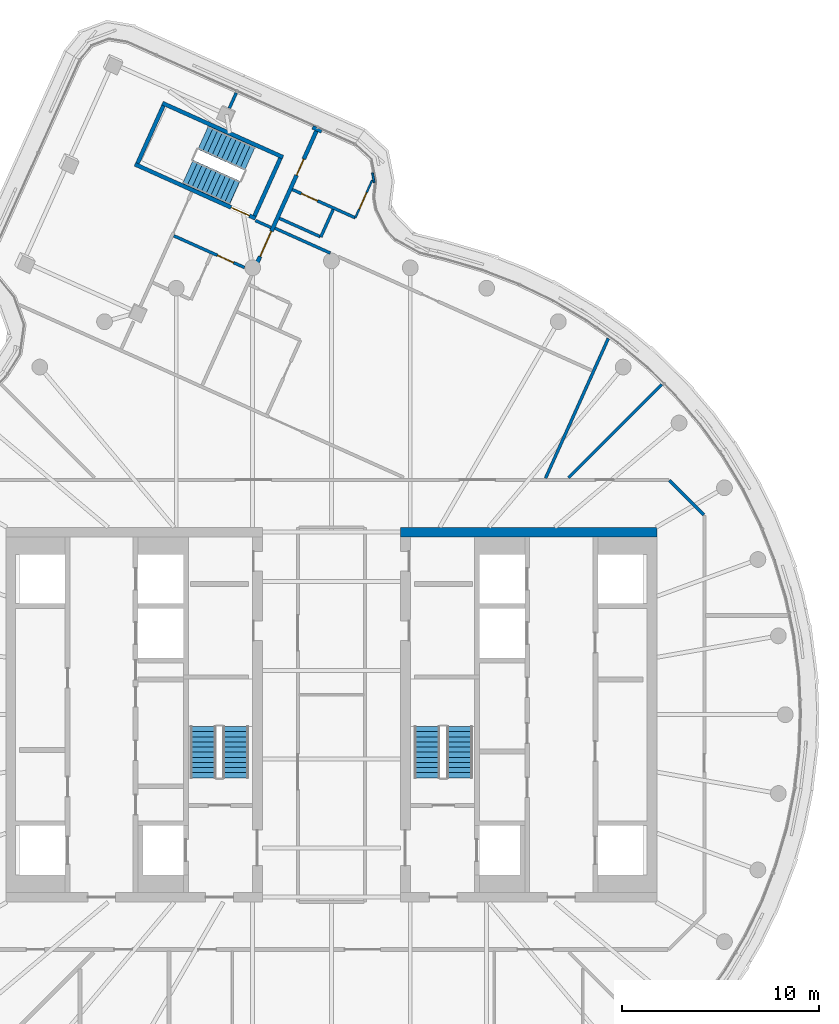
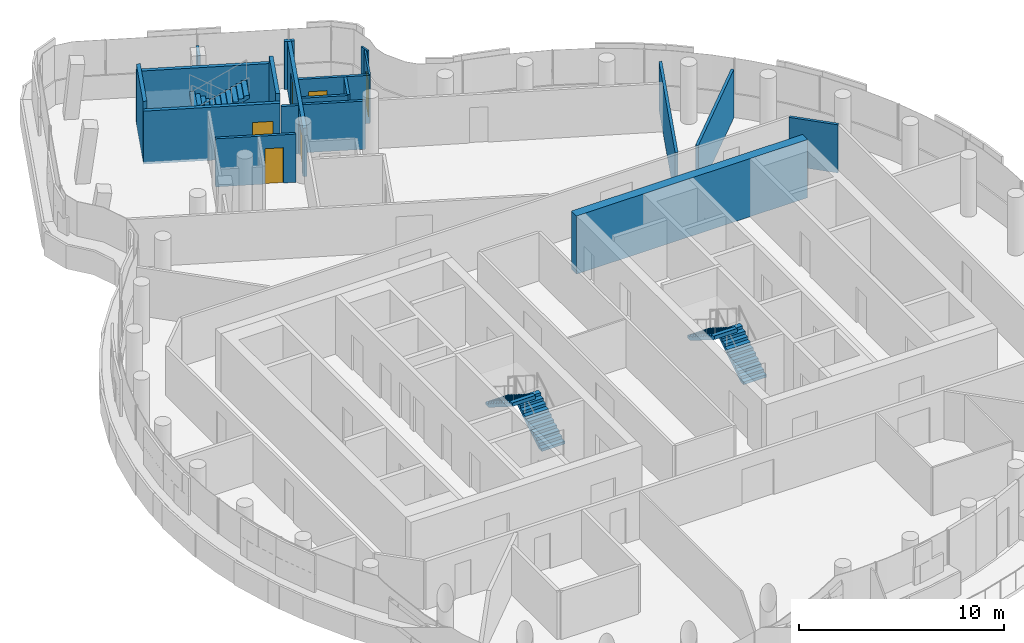
# One storey, part 16 of 21: 19 walls, 6 doors, 6 stair flights, 6 openings, 3 elements without a shape of their own.
"""IFC4 building model written with IfcOpenShell, lengths in metres."""

from ifc_helpers import new_model, si_unit, direction, frame, frame_2d, origin, place, context, subcontext, project, spatial, polyline, rectangle, outline, extrude, material, layer, layer_set, type_object, element, fill, aggregate, save


model = new_model("IFC4")

# Units and contexts
model_context = context("Model", 3, precision=1e-05, world=origin(), true_north=direction((0.0, 1.0)))
body_context = subcontext(model_context, "Body", "Model", "MODEL_VIEW")
ifc_project = project(units=[si_unit("LENGTHUNIT", "METRE"), si_unit("AREAUNIT", "SQUARE_METRE"), si_unit("VOLUMEUNIT", "CUBIC_METRE"), si_unit("PLANEANGLEUNIT", "RADIAN"), si_unit("MASSUNIT", "GRAM", prefix="KILO")], contexts=[model_context])

# Site, building, storey
site_placement = place(None, origin())
site = spatial("IfcSite", under=ifc_project, at=site_placement, CompositionType="ELEMENT")
building_placement = place(site_placement, origin())
building = spatial("IfcBuilding", under=site, at=building_placement, Name="Tamarind Cross Interchange Tower", CompositionType="ELEMENT")
storey_placement = place(building_placement, frame((0.0, 0.0, 271.199951171875)))
storey = spatial("IfcBuildingStorey", under=building, at=storey_placement, Name="L69", CompositionType="ELEMENT", Elevation=271.199951171875)

# Wall
ifc_material_1 = material(Name="Concrete C50", Category="concrete")
ifc_layer_1 = layer(ifc_material_1, 0.5)
ifc_layer_set_1 = layer_set([ifc_layer_1], Name="Concrete C50")
wall_type_1 = type_object("IfcWallType", Name="Core wall 500 mm Concrete C50", PredefinedType="SHEAR", material=ifc_layer_set_1)
wall_1_placement = place(storey_placement, frame((16.5, 9.25, 0.0), z_axis=(0.0, 0.0, 1.0), x_axis=(-1.0, 0.0, 0.0)))
element("IfcWall", 1, at=wall_1_placement, inside=storey, type_object=wall_type_1, Name="Core wall CWL-L69-E-NE", PredefinedType="SHEAR", context=body_context, shape_type="SweptSolid", body=[
    extrude(rectangle(XDim=13.0, YDim=0.5, at=frame_2d((6.5, 0.0))), origin(), (0.0, 0.0, 1.0), 3.4599609375),
])

# Wall, opening, door
ifc_material_2 = material(Name="Gypsum board partition on steel studs", Category="steel")
ifc_layer_2 = layer(ifc_material_2, 0.10009765625)
ifc_layer_set_2 = layer_set([ifc_layer_2], Name="Gypsum board partition on steel studs")
wall_type_2 = type_object("IfcWallType", Name="Partition 100 mm EI 90", PredefinedType="PARTITIONING", material=ifc_layer_set_2)
wall_2_placement = place(storey_placement, frame((1.210205078125, 25.183837890625, 0.0), z_axis=(0.0, 0.0, 1.0), x_axis=(0.409598326261, 0.912265976086, 0.0)))
wall_2 = element("IfcWall", 2, at=wall_2_placement, inside=storey, type_object=wall_type_2, Name="Partition L69-037", PredefinedType="PARTITIONING", context=body_context, shape_type="SweptSolid", body=[
    extrude(rectangle(XDim=2.09326171875, YDim=0.10009765625, at=frame_2d((1.046630859375, 0.0))), origin(), (0.0, 0.0, 1.0), 2.864013671875),
])
opening_1_placement = place(wall_2_placement, frame((0.5, 0.0, 0.0)))
opening_1 = element("IfcOpeningElement", 3, at=opening_1_placement, cuts=wall_2, Name="Opening D19", PredefinedType="OPENING", context=body_context, shape_type="SweptSolid", body=[
    extrude(rectangle(XDim=0.89990234375, YDim=2.10009765625, at=frame_2d((0.449951171875, 1.050048828125))), frame((0.0, 0.06005859375, 0.0), z_axis=(0.0, -1.0, 0.0), x_axis=(1.0, 0.0, 0.0)), (0.0, 0.0, 1.0), 0.1201171875),
])
ifc_material_3 = material(Name="Fire-resisting door set")
door_type_1 = type_object("IfcDoorType", Name="Interior door 900 x 2100 FD60S", OperationType="SINGLE_SWING_LEFT", PredefinedType="DOOR", material=ifc_material_3)
door_1_placement = place(opening_1_placement, origin())
door_1 = element("IfcDoor", 4, at=door_1_placement, inside=storey, type_object=door_type_1, Name="Door D19", OperationType="SINGLE_SWING_RIGHT", OverallHeight=2.10009765625, OverallWidth=0.89990234375, PredefinedType="DOOR", context=body_context, shape_type="SweptSolid", body=[
    extrude(rectangle(XDim=0.89990234375, YDim=2.10009765625, at=frame_2d((0.449951171875, 1.050048828125))), frame((0.0, 0.02490234375, 0.0), z_axis=(0.0, -1.0, 0.0), x_axis=(1.0, 0.0, 0.0)), (0.0, 0.0, 1.0), 0.050048828125),
])
fill(opening_1, door_1)

# Walls
wall_3_placement = place(storey_placement, frame((2.16650390625, 26.970458984375, 0.0), z_axis=(0.0, 0.0, 1.0), x_axis=(-0.174286615175, 0.98469496585, 0.0)))
element("IfcWall", 5, at=wall_3_placement, inside=storey, type_object=wall_type_2, Name="Partition L69-050", PredefinedType="PARTITIONING", context=body_context, shape_type="SweptSolid", body=[
    extrude(rectangle(XDim=0.5, YDim=0.10009765625, at=frame_2d((0.25, 0.0))), origin(), (0.0, 0.0, 1.0), 2.864013671875),
])
ifc_layer_3 = layer(ifc_material_2, 0.14990234375)
ifc_layer_set_3 = layer_set([ifc_layer_3], Name="Gypsum board partition on steel studs")
wall_type_3 = type_object("IfcWallType", Name="Partition 150 mm EI 120", PredefinedType="PARTITIONING", material=ifc_layer_set_3)
wall_4_placement = place(storey_placement, frame((17.12841796875, 11.87158203125, 0.0), z_axis=(0.0, 0.0, 1.0), x_axis=(0.707106781187, -0.707106781187, 0.0)))
element("IfcWall", 6, at=wall_4_placement, inside=storey, type_object=wall_type_3, Name="Partition L69-004", PredefinedType="PARTITIONING", context=body_context, shape_type="SweptSolid", body=[
    extrude(rectangle(XDim=2.465087890625, YDim=0.14990234375, at=frame_2d((1.232421875, 0.0))), origin(), (0.0, 0.0, 1.0), 2.864013671875),
])

# Wall, opening, door
wall_5_placement = place(storey_placement, frame((-7.989990234375, 24.272216796875, 0.0), z_axis=(0.0, 0.0, 1.0), x_axis=(0.912292721539, -0.409538753023, 0.0)))
wall_5 = element("IfcWall", 7, at=wall_5_placement, inside=storey, type_object=wall_type_3, Name="Partition L69-008", PredefinedType="PARTITIONING", context=body_context, shape_type="SweptSolid", body=[
    extrude(rectangle(XDim=3.933837890625, YDim=0.14990234375, at=frame_2d((1.966796875, 0.0))), origin(), (0.0, 0.0, 1.0), 2.864013671875),
])
opening_2_placement = place(wall_5_placement, frame((2.419921875, 0.0, 0.0)))
opening_2 = element("IfcOpeningElement", 8, at=opening_2_placement, cuts=wall_5, Name="Opening D02", PredefinedType="OPENING", context=body_context, shape_type="SweptSolid", body=[
    extrude(rectangle(XDim=0.89990234375, YDim=2.10009765625, at=frame_2d((0.449951171875, 1.050048828125))), frame((0.0, 0.0849609375, 0.0), z_axis=(0.0, -1.0, 0.0), x_axis=(1.0, 0.0, 0.0)), (0.0, 0.0, 1.0), 0.169921875),
])
door_2_placement = place(opening_2_placement, frame((0.89990234375, 0.0, 0.0), z_axis=(0.0, 0.0, 1.0), x_axis=(-1.0, 0.0, 0.0)))
door_2 = element("IfcDoor", 9, at=door_2_placement, inside=storey, type_object=door_type_1, Name="Door D02", OperationType="SINGLE_SWING_RIGHT", OverallHeight=2.10009765625, OverallWidth=0.89990234375, PredefinedType="DOOR", context=body_context, shape_type="SweptSolid", body=[
    extrude(rectangle(XDim=0.89990234375, YDim=2.10009765625, at=frame_2d((0.449951171875, 1.050048828125))), frame((0.0, 0.02490234375, 0.0), z_axis=(0.0, -1.0, 0.0), x_axis=(1.0, 0.0, 0.0)), (0.0, 0.0, 1.0), 0.050048828125),
])
fill(opening_2, door_2)

# Walls
wall_6_placement = place(storey_placement, frame((-3.850341796875, 25.0439453125, 0.0), z_axis=(0.0, 0.0, 1.0), x_axis=(0.91233270994, -0.409449662807, 0.0)))
element("IfcWall", 10, at=wall_6_placement, inside=storey, type_object=wall_type_3, Name="Partition L69-011", PredefinedType="PARTITIONING", context=body_context, shape_type="SweptSolid", body=[
    extrude(rectangle(XDim=0.8544921875, YDim=0.14990234375, at=frame_2d((0.42724609375, 0.0))), origin(), (0.0, 0.0, 1.0), 2.864013671875),
])
wall_7_placement = place(storey_placement, frame((-2.86376953125, 24.656005859375, 0.0), z_axis=(0.0, 0.0, 1.0), x_axis=(0.912258042775, -0.409615995039, 0.0)))
element("IfcWall", 11, at=wall_7_placement, inside=storey, type_object=wall_type_3, Name="Partition L69-012", PredefinedType="PARTITIONING", context=body_context, shape_type="SweptSolid", body=[
    extrude(rectangle(XDim=3.078369140625, YDim=0.14990234375, at=frame_2d((1.5390625, 0.0))), origin(), (0.0, 0.0, 1.0), 2.864013671875),
])
wall_8_placement = place(storey_placement, frame((-2.6376953125, 25.156982421875, 0.0), z_axis=(0.0, 0.0, 1.0), x_axis=(0.912245848383, -0.409643152156, 0.0)))
element("IfcWall", 12, at=wall_8_placement, inside=storey, type_object=wall_type_3, Name="Partition L69-014", PredefinedType="PARTITIONING", context=body_context, shape_type="SweptSolid", body=[
    extrude(rectangle(XDim=2.279541015625, YDim=0.14990234375, at=frame_2d((1.1396484375, 0.0))), origin(), (0.0, 0.0, 1.0), 2.864013671875),
])

# Wall, opening, door
wall_9_placement = place(storey_placement, frame((-1.98291015625, 26.616943359375, 0.0), z_axis=(0.0, 0.0, 1.0), x_axis=(0.912251445875, -0.409630686715, 0.0)))
wall_9 = element("IfcWall", 13, at=wall_9_placement, inside=storey, type_object=wall_type_3, Name="Partition L69-015", PredefinedType="PARTITIONING", context=body_context, shape_type="SweptSolid", body=[
    extrude(rectangle(XDim=3.499755859375, YDim=0.14990234375, at=frame_2d((1.75, 0.0))), origin(), (0.0, 0.0, 1.0), 2.864013671875),
])
opening_3_placement = place(wall_9_placement, frame((0.5, 0.0, 0.0)))
opening_3 = element("IfcOpeningElement", 14, at=opening_3_placement, cuts=wall_9, Name="Opening D05", PredefinedType="OPENING", context=body_context, shape_type="SweptSolid", body=[
    extrude(rectangle(XDim=0.89990234375, YDim=2.10009765625, at=frame_2d((0.449951171875, 1.050048828125))), frame((0.0, 0.0849609375, 0.0), z_axis=(0.0, -1.0, 0.0), x_axis=(1.0, 0.0, 0.0)), (0.0, 0.0, 1.0), 0.169921875),
])
door_3_placement = place(opening_3_placement, frame((0.89990234375, 0.0, 0.0), z_axis=(0.0, 0.0, 1.0), x_axis=(-1.0, 0.0, 0.0)))
door_3 = element("IfcDoor", 15, at=door_3_placement, inside=storey, type_object=door_type_1, Name="Door D05", OperationType="SINGLE_SWING_LEFT", OverallHeight=2.10009765625, OverallWidth=0.89990234375, PredefinedType="DOOR", context=body_context, shape_type="SweptSolid", body=[
    extrude(rectangle(XDim=0.89990234375, YDim=2.10009765625, at=frame_2d((0.449951171875, 1.050048828125))), frame((0.0, 0.02490234375, 0.0), z_axis=(0.0, -1.0, 0.0), x_axis=(1.0, 0.0, 0.0)), (0.0, 0.0, 1.0), 0.050048828125),
])
fill(opening_3, door_3)

# Walls
wall_10_placement = place(storey_placement, frame((12.009521484375, 12.009521484375, 0.0), z_axis=(0.0, 0.0, 1.0), x_axis=(0.707106781187, 0.707106781187, 0.0)))
element("IfcWall", 16, at=wall_10_placement, inside=storey, type_object=wall_type_3, Name="Partition L69-028", PredefinedType="PARTITIONING", context=body_context, shape_type="SweptSolid", body=[
    extrude(rectangle(XDim=6.690673828125, YDim=0.14990234375, at=frame_2d((3.34521484375, 0.0))), origin(), (0.0, 0.0, 1.0), 2.864013671875),
])
wall_11_placement = place(storey_placement, frame((-5.17529296875, 30.734619140625, 0.0), z_axis=(0.0, 0.0, 1.0), x_axis=(0.409731822194, 0.912206026006, 0.0)))
element("IfcWall", 17, at=wall_11_placement, inside=storey, type_object=wall_type_3, Name="Partition L69-032", PredefinedType="PARTITIONING", context=body_context, shape_type="SweptSolid", body=[
    extrude(rectangle(XDim=0.850341796875, YDim=0.14990234375, at=frame_2d((0.42529296875, 0.0))), origin(), (0.0, 0.0, 1.0), 2.864013671875),
])
wall_12_placement = place(storey_placement, frame((-0.5380859375, 24.214111328125, 0.0), z_axis=(0.0, 0.0, 1.0), x_axis=(0.410085127613, 0.91204725103, 0.0)))
element("IfcWall", 18, at=wall_12_placement, inside=storey, type_object=wall_type_3, Name="Partition L69-039", PredefinedType="PARTITIONING", context=body_context, shape_type="SweptSolid", body=[
    extrude(rectangle(XDim=1.525146484375, YDim=0.14990234375, at=frame_2d((0.7626953125, 0.0))), origin(), (0.0, 0.0, 1.0), 2.864013671875),
])
wall_13_placement = place(storey_placement, frame((10.850830078125, 11.98681640625, 0.0), z_axis=(0.0, 0.0, 1.0), x_axis=(0.409585598201, 0.912271690751, 0.0)))
element("IfcWall", 19, at=wall_13_placement, inside=storey, type_object=wall_type_3, Name="Partition L69-040", PredefinedType="PARTITIONING", context=body_context, shape_type="SweptSolid", body=[
    extrude(rectangle(XDim=7.767333984375, YDim=0.14990234375, at=frame_2d((3.8837890625, 0.0))), origin(), (0.0, 0.0, 1.0), 2.864013671875),
])

# Wall, openings, doors
ifc_layer_4 = layer(ifc_material_2, 0.199951171875)
ifc_layer_set_4 = layer_set([ifc_layer_4], Name="Gypsum board partition on steel studs")
wall_type_4 = type_object("IfcWallType", Name="Partition 200 mm EI 180", PredefinedType="PARTITIONING", material=ifc_layer_set_4)
wall_14_placement = place(storey_placement, frame((-3.802001953125, 22.810302734375, 0.0), z_axis=(0.0, 0.0, 1.0), x_axis=(0.409510455396, 0.912305424143, 0.0)))
wall_14 = element("IfcWall", 20, at=wall_14_placement, inside=storey, type_object=wall_type_4, Name="Partition L69-035", PredefinedType="PARTITIONING", context=body_context, shape_type="SweptSolid", body=[
    extrude(rectangle(XDim=7.4169921875, YDim=0.199951171875, at=frame_2d((3.70849609375, 0.0))), origin(), (0.0, 0.0, 1.0), 2.864013671875),
])
opening_4_placement = place(wall_14_placement, frame((0.457763671875, 0.0, 0.0)))
opening_4 = element("IfcOpeningElement", 21, at=opening_4_placement, cuts=wall_14, Name="Opening D16", PredefinedType="OPENING", context=body_context, shape_type="SweptSolid", body=[
    extrude(rectangle(XDim=1.39990234375, YDim=2.10009765625, at=frame_2d((0.699951171875, 1.050048828125))), frame((0.0, 0.10986328125, 0.0), z_axis=(0.0, -1.0, 0.0), x_axis=(1.0, 0.0, 0.0)), (0.0, 0.0, 1.0), 0.219970703125),
])
opening_5_placement = place(wall_14_placement, frame((4.968017578125, 0.0, 0.0)))
opening_5 = element("IfcOpeningElement", 22, at=opening_5_placement, cuts=wall_14, Name="Opening D17", PredefinedType="OPENING", context=body_context, shape_type="SweptSolid", body=[
    extrude(rectangle(XDim=0.89990234375, YDim=2.10009765625, at=frame_2d((0.449951171875, 1.050048828125))), frame((0.0, 0.10986328125, 0.0), z_axis=(0.0, -1.0, 0.0), x_axis=(1.0, 0.0, 0.0)), (0.0, 0.0, 1.0), 0.219970703125),
])
door_type_2 = type_object("IfcDoorType", Name="Interior door 1400 x 2100 FD120S", OperationType="DOUBLE_DOOR_SINGLE_SWING", PredefinedType="DOOR", material=ifc_material_3)
door_4_placement = place(opening_4_placement, frame((1.39990234375, 0.0, 0.0), z_axis=(0.0, 0.0, 1.0), x_axis=(-1.0, 0.0, 0.0)))
door_4 = element("IfcDoor", 23, at=door_4_placement, inside=storey, type_object=door_type_2, Name="Door D16", OperationType="DOUBLE_DOOR_SINGLE_SWING", OverallHeight=2.10009765625, OverallWidth=1.39990234375, PredefinedType="DOOR", context=body_context, shape_type="SweptSolid", body=[
    extrude(rectangle(XDim=1.39990234375, YDim=2.10009765625, at=frame_2d((0.699951171875, 1.050048828125))), frame((0.0, 0.02490234375, 0.0), z_axis=(0.0, -1.0, 0.0), x_axis=(1.0, 0.0, 0.0)), (0.0, 0.0, 1.0), 0.050048828125),
])
fill(opening_4, door_4)
door_type_3 = type_object("IfcDoorType", Name="Interior door 900 x 2100 FD120S", OperationType="SINGLE_SWING_LEFT", PredefinedType="DOOR", material=ifc_material_3)
door_5_placement = place(opening_5_placement, origin())
door_5 = element("IfcDoor", 24, at=door_5_placement, inside=storey, type_object=door_type_3, Name="Door D17", OperationType="SINGLE_SWING_LEFT", OverallHeight=2.10009765625, OverallWidth=0.89990234375, PredefinedType="DOOR", context=body_context, shape_type="SweptSolid", body=[
    extrude(rectangle(XDim=0.89990234375, YDim=2.10009765625, at=frame_2d((0.449951171875, 1.050048828125))), frame((0.0, 0.02490234375, 0.0), z_axis=(0.0, -1.0, 0.0), x_axis=(1.0, 0.0, 0.0)), (0.0, 0.0, 1.0), 0.050048828125),
])
fill(opening_5, door_5)

# Wall
wall_15_placement = place(storey_placement, frame((-0.49560546875, 29.565673828125, 0.0), z_axis=(0.0, 0.0, 1.0), x_axis=(-0.912295587344, 0.409532369065, 0.0)))
element("IfcWall", 25, at=wall_15_placement, inside=storey, type_object=wall_type_4, Name="Partition L69-051", PredefinedType="PARTITIONING", context=body_context, shape_type="SweptSolid", body=[
    extrude(rectangle(XDim=0.500244140625, YDim=0.199951171875, at=frame_2d((0.25, 0.0))), origin(), (0.0, 0.0, 1.0), 2.864013671875),
])

# Wall, opening, door
ifc_material_4 = material(Name="Concrete C40", Category="concrete")
ifc_layer_5 = layer(ifc_material_4, 0.199951171875)
ifc_layer_set_5 = layer_set([ifc_layer_5], Name="Concrete C40")
wall_type_5 = type_object("IfcWallType", Name="Stair shaft wall 200 mm Concrete C40", PredefinedType="SHEAR", material=ifc_layer_set_5)
wall_16_placement = place(storey_placement, frame((-3.846435546875, 25.15185546875, -0.139892578125), z_axis=(0.0, 0.0, 1.0), x_axis=(-0.912278425162, 0.409570598291, 0.0)))
wall_16 = element("IfcWall", 26, at=wall_16_placement, inside=storey, type_object=wall_type_5, Name="Core wall CWL-L69-ST4-H", PredefinedType="SHEAR", context=body_context, shape_type="SweptSolid", body=[
    extrude(rectangle(XDim=6.699951171875, YDim=0.199951171875, at=frame_2d((3.35009765625, 0.0))), origin(), (0.0, 0.0, 1.0), 3.154052734375),
])
opening_6_placement = place(wall_16_placement, frame((0.35009765625, 0.0, 0.0)))
opening_6 = element("IfcOpeningElement", 27, at=opening_6_placement, cuts=wall_16, Name="Opening ST4L69", PredefinedType="OPENING", context=body_context, shape_type="SweptSolid", body=[
    extrude(rectangle(XDim=1.0, YDim=2.10009765625, at=frame_2d((0.5, 1.050048828125))), frame((0.0, 0.10986328125, 0.0), z_axis=(0.0, -1.0, 0.0), x_axis=(1.0, 0.0, 0.0)), (0.0, 0.0, 1.0), 0.219970703125),
])
ifc_material_5 = material(Name="Steel, fire-resisting", Category="steel")
door_type_4 = type_object("IfcDoorType", Name="Core fire door 1000 x 2100 FD90", OperationType="SINGLE_SWING_LEFT", PredefinedType="DOOR", material=ifc_material_5)
door_6_placement = place(opening_6_placement, origin())
door_6 = element("IfcDoor", 28, at=door_6_placement, inside=storey, type_object=door_type_4, Name="L69 stair door ST4", OperationType="SINGLE_SWING_LEFT", OverallHeight=2.10009765625, OverallWidth=1.0, PredefinedType="DOOR", context=body_context, shape_type="SweptSolid", body=[
    extrude(rectangle(XDim=1.0, YDim=2.10009765625, at=frame_2d((0.5, 1.050048828125))), frame((0.0, 0.02490234375, 0.0), z_axis=(0.0, -1.0, 0.0), x_axis=(1.0, 0.0, 0.0)), (0.0, 0.0, 1.0), 0.050048828125),
])
fill(opening_6, door_6)

# Walls
wall_17_placement = place(storey_placement, frame((-2.4541015625, 28.253662109375, -0.139892578125), z_axis=(0.0, 0.0, 1.0), x_axis=(-0.912278425162, 0.409570598291, 0.0)))
element("IfcWall", 29, at=wall_17_placement, inside=storey, type_object=wall_type_5, Name="Core wall CWL-L69-ST4-C", PredefinedType="SHEAR", context=body_context, shape_type="SweptSolid", body=[
    extrude(rectangle(XDim=6.699951171875, YDim=0.199951171875, at=frame_2d((3.35009765625, 0.0))), origin(), (0.0, 0.0, 1.0), 3.154052734375),
])
wall_18_placement = place(storey_placement, frame((-2.586181640625, 28.203369140625, -0.139892578125), z_axis=(0.0, 0.0, 1.0), x_axis=(-0.409561893765, -0.912282333039, 0.0)))
element("IfcWall", 30, at=wall_18_placement, inside=storey, type_object=wall_type_5, Name="Core wall CWL-L69-ST4-CE", PredefinedType="SHEAR", context=body_context, shape_type="SweptSolid", body=[
    extrude(rectangle(XDim=3.199951171875, YDim=0.199951171875, at=frame_2d((1.60009765625, 0.0))), origin(), (0.0, 0.0, 1.0), 3.599853515625),
])
wall_19_placement = place(storey_placement, frame((0.0, 0.0, -0.139892578125)))
element("IfcWall", 31, at=wall_19_placement, inside=storey, type_object=wall_type_5, Name="Core wall CWL-L69-ST4-CF", PredefinedType="SHEAR", context=body_context, shape_type="SweptSolid", body=[
    extrude(outline(polyline([(-8.4248046875, 30.82470703125), (-8.607177734375, 30.906494140625), (-9.917724609375, 27.9873046875), (-9.7353515625, 27.9052734375), (-8.4248046875, 30.82470703125)])), origin(), (0.0, 0.0, 1.0), 3.599853515625),
])

# Stair, stair flights
ifc_material_6 = material(Name="Exit stair")
stair_type = type_object("IfcStairType", Name="Exit stair", PredefinedType="HALF_TURN_STAIR", material=ifc_material_6)
stair_1_placement = place(storey_placement, origin())
stair_1 = element("IfcStair", 32, at=stair_1_placement, inside=storey, type_object=stair_type, Name="L69 exit stair ST1", PredefinedType="HALF_TURN_STAIR")
ifc_material_7 = material(Name="Exit stair flight")
stair_flight_type = type_object("IfcStairFlightType", Name="Exit stair flight", PredefinedType="STRAIGHT", material=ifc_material_7)
stair_flight_1_placement = place(storey_placement, frame((-4.85009765625, -3.199951171875, 0.0), z_axis=(0.0, 0.0, 1.0), x_axis=(0.0, 1.0, 0.0)))
stair_flight_1 = element("IfcStairFlight", 33, at=stair_flight_1_placement, type_object=stair_flight_type, Name="ST1 flight 1", NumberOfRisers=11, NumberOfTreads=10, PredefinedType="STRAIGHT", RiserHeight=0.163636364, TreadLength=0.26, context=body_context, shape_type="SweptSolid", body=[
    extrude(outline(polyline([(0.0, 0.0), (0.0, 0.16357421875), (0.260009765625, 0.16357421875), (0.260009765625, 0.327392578125), (0.52001953125, 0.327392578125), (0.52001953125, 0.490966796875), (0.780029296875, 0.490966796875), (0.780029296875, 0.654541015625), (1.0400390625, 0.654541015625), (1.0400390625, 0.818115234375), (1.300048828125, 0.818115234375), (1.300048828125, 0.98193359375), (1.56005859375, 0.98193359375), (1.56005859375, 1.1455078125), (1.820068359375, 1.1455078125), (1.820068359375, 1.30908203125), (2.080078125, 1.30908203125), (2.080078125, 1.47265625), (2.340087890625, 1.47265625), (2.340087890625, 1.636474609375), (2.60009765625, 1.636474609375), (2.60009765625, 1.800048828125), (2.60009765625, 1.459228515625), (0.281494140625, 0.0), (0.0, 0.0)])), frame((0.0, 0.64990234375, 0.0), z_axis=(0.0, -1.0, 0.0), x_axis=(1.0, 0.0, 0.0)), (0.0, 0.0, 1.0), 1.300048828125),
])
stair_flight_2_placement = place(storey_placement, frame((-6.5, -0.60009765625, 1.800048828125), z_axis=(0.0, 0.0, 1.0), x_axis=(0.0, -1.0, 0.0)))
stair_flight_2 = element("IfcStairFlight", 34, at=stair_flight_2_placement, type_object=stair_flight_type, Name="ST1 flight 2", NumberOfRisers=11, NumberOfTreads=10, PredefinedType="STRAIGHT", RiserHeight=0.163636364, TreadLength=0.26, context=body_context, shape_type="SweptSolid", body=[
    extrude(outline(polyline([(0.0, 0.0), (0.0, 0.16357421875), (0.260009765625, 0.16357421875), (0.260009765625, 0.327392578125), (0.52001953125, 0.327392578125), (0.52001953125, 0.490966796875), (0.780029296875, 0.490966796875), (0.780029296875, 0.654541015625), (1.0400390625, 0.654541015625), (1.0400390625, 0.818115234375), (1.300048828125, 0.818115234375), (1.300048828125, 0.98193359375), (1.56005859375, 0.98193359375), (1.56005859375, 1.1455078125), (1.820068359375, 1.1455078125), (1.820068359375, 1.30908203125), (2.080078125, 1.30908203125), (2.080078125, 1.47265625), (2.340087890625, 1.47265625), (2.340087890625, 1.636474609375), (2.60009765625, 1.636474609375), (2.60009765625, 1.679931640625), (2.612060546875, 1.679931640625), (2.612060546875, 1.466796875), (0.281494140625, 0.0), (0.0, 0.0)])), frame((0.0, 0.64990234375, 0.0), z_axis=(0.0, -1.0, 0.0), x_axis=(1.0, 0.0, 0.0)), (0.0, 0.0, 1.0), 1.300048828125),
])
aggregate(stair_1, [stair_flight_1, stair_flight_2])

stair_2_placement = place(storey_placement, origin())
stair_2 = element("IfcStair", 35, at=stair_2_placement, inside=storey, type_object=stair_type, Name="L69 exit stair ST2", PredefinedType="HALF_TURN_STAIR")
stair_flight_3_placement = place(storey_placement, frame((6.5, -3.199951171875, 0.0), z_axis=(0.0, 0.0, 1.0), x_axis=(0.0, 1.0, 0.0)))
stair_flight_3 = element("IfcStairFlight", 36, at=stair_flight_3_placement, type_object=stair_flight_type, Name="ST2 flight 1", NumberOfRisers=11, NumberOfTreads=10, PredefinedType="STRAIGHT", RiserHeight=0.163636364, TreadLength=0.26, context=body_context, shape_type="SweptSolid", body=[
    extrude(outline(polyline([(0.0, 0.0), (0.0, 0.16357421875), (0.260009765625, 0.16357421875), (0.260009765625, 0.327392578125), (0.52001953125, 0.327392578125), (0.52001953125, 0.490966796875), (0.780029296875, 0.490966796875), (0.780029296875, 0.654541015625), (1.0400390625, 0.654541015625), (1.0400390625, 0.818115234375), (1.300048828125, 0.818115234375), (1.300048828125, 0.98193359375), (1.56005859375, 0.98193359375), (1.56005859375, 1.1455078125), (1.820068359375, 1.1455078125), (1.820068359375, 1.30908203125), (2.080078125, 1.30908203125), (2.080078125, 1.47265625), (2.340087890625, 1.47265625), (2.340087890625, 1.636474609375), (2.60009765625, 1.636474609375), (2.60009765625, 1.800048828125), (2.60009765625, 1.459228515625), (0.281494140625, 0.0), (0.0, 0.0)])), frame((0.0, 0.64990234375, 0.0), z_axis=(0.0, -1.0, 0.0), x_axis=(1.0, 0.0, 0.0)), (0.0, 0.0, 1.0), 1.300048828125),
])
stair_flight_4_placement = place(storey_placement, frame((4.85009765625, -0.60009765625, 1.800048828125), z_axis=(0.0, 0.0, 1.0), x_axis=(0.0, -1.0, 0.0)))
stair_flight_4 = element("IfcStairFlight", 37, at=stair_flight_4_placement, type_object=stair_flight_type, Name="ST2 flight 2", NumberOfRisers=11, NumberOfTreads=10, PredefinedType="STRAIGHT", RiserHeight=0.163636364, TreadLength=0.26, context=body_context, shape_type="SweptSolid", body=[
    extrude(outline(polyline([(0.0, 0.0), (0.0, 0.16357421875), (0.260009765625, 0.16357421875), (0.260009765625, 0.327392578125), (0.52001953125, 0.327392578125), (0.52001953125, 0.490966796875), (0.780029296875, 0.490966796875), (0.780029296875, 0.654541015625), (1.0400390625, 0.654541015625), (1.0400390625, 0.818115234375), (1.300048828125, 0.818115234375), (1.300048828125, 0.98193359375), (1.56005859375, 0.98193359375), (1.56005859375, 1.1455078125), (1.820068359375, 1.1455078125), (1.820068359375, 1.30908203125), (2.080078125, 1.30908203125), (2.080078125, 1.47265625), (2.340087890625, 1.47265625), (2.340087890625, 1.636474609375), (2.60009765625, 1.636474609375), (2.60009765625, 1.679931640625), (2.612060546875, 1.679931640625), (2.612060546875, 1.466796875), (0.281494140625, 0.0), (0.0, 0.0)])), frame((0.0, 0.64990234375, 0.0), z_axis=(0.0, -1.0, 0.0), x_axis=(1.0, 0.0, 0.0)), (0.0, 0.0, 1.0), 1.300048828125),
])
aggregate(stair_2, [stair_flight_3, stair_flight_4])

stair_3_placement = place(storey_placement, origin())
stair_3 = element("IfcStair", 38, at=stair_3_placement, inside=storey, type_object=stair_type, Name="L69 exit stair ST4", PredefinedType="HALF_TURN_STAIR")
stair_flight_5_placement = place(storey_placement, frame((-4.129638671875, 28.183837890625, 0.0), z_axis=(0.0, 0.0, 1.0), x_axis=(-0.91228030741, 0.409566405741, 0.0)))
stair_flight_5 = element("IfcStairFlight", 39, at=stair_flight_5_placement, type_object=stair_flight_type, Name="ST4 flight 1", NumberOfRisers=11, NumberOfTreads=10, PredefinedType="STRAIGHT", RiserHeight=0.163636364, TreadLength=0.26, context=body_context, shape_type="SweptSolid", body=[
    extrude(outline(polyline([(0.0, 0.0), (0.0, 0.16357421875), (0.260009765625, 0.16357421875), (0.260009765625, 0.327392578125), (0.52001953125, 0.327392578125), (0.52001953125, 0.490966796875), (0.780029296875, 0.490966796875), (0.780029296875, 0.654541015625), (1.0400390625, 0.654541015625), (1.0400390625, 0.818115234375), (1.300048828125, 0.818115234375), (1.300048828125, 0.98193359375), (1.56005859375, 0.98193359375), (1.56005859375, 1.1455078125), (1.820068359375, 1.1455078125), (1.820068359375, 1.30908203125), (2.080078125, 1.30908203125), (2.080078125, 1.47265625), (2.340087890625, 1.47265625), (2.340087890625, 1.636474609375), (2.60009765625, 1.636474609375), (2.60009765625, 1.800048828125), (2.60009765625, 1.459228515625), (0.281494140625, 0.0), (0.0, 0.0)])), frame((0.0, 0.64990234375, 0.0), z_axis=(0.0, -1.0, 0.0), x_axis=(1.0, 0.0, 0.0)), (0.0, 0.0, 1.0), 1.300048828125),
])
stair_flight_6_placement = place(storey_placement, frame((-7.27978515625, 27.515380859375, 1.800048828125), z_axis=(0.0, 0.0, 1.0), x_axis=(0.91228030741, -0.409566405741, 0.0)))
stair_flight_6 = element("IfcStairFlight", 40, at=stair_flight_6_placement, type_object=stair_flight_type, Name="ST4 flight 2", NumberOfRisers=11, NumberOfTreads=10, PredefinedType="STRAIGHT", RiserHeight=0.163636364, TreadLength=0.26, context=body_context, shape_type="SweptSolid", body=[
    extrude(outline(polyline([(0.0, 0.0), (0.0, 0.16357421875), (0.260009765625, 0.16357421875), (0.260009765625, 0.327392578125), (0.52001953125, 0.327392578125), (0.52001953125, 0.490966796875), (0.780029296875, 0.490966796875), (0.780029296875, 0.654541015625), (1.0400390625, 0.654541015625), (1.0400390625, 0.818115234375), (1.300048828125, 0.818115234375), (1.300048828125, 0.98193359375), (1.56005859375, 0.98193359375), (1.56005859375, 1.1455078125), (1.820068359375, 1.1455078125), (1.820068359375, 1.30908203125), (2.080078125, 1.30908203125), (2.080078125, 1.47265625), (2.340087890625, 1.47265625), (2.340087890625, 1.636474609375), (2.60009765625, 1.636474609375), (2.60009765625, 1.679931640625), (2.612060546875, 1.679931640625), (2.612060546875, 1.466796875), (0.281494140625, 0.0), (0.0, 0.0)])), frame((0.0, 0.64990234375, 0.0), z_axis=(0.0, -1.0, 0.0), x_axis=(1.0, 0.0, 0.0)), (0.0, 0.0, 1.0), 1.300048828125),
])
aggregate(stair_3, [stair_flight_5, stair_flight_6])

save(model, "model.ifc")
